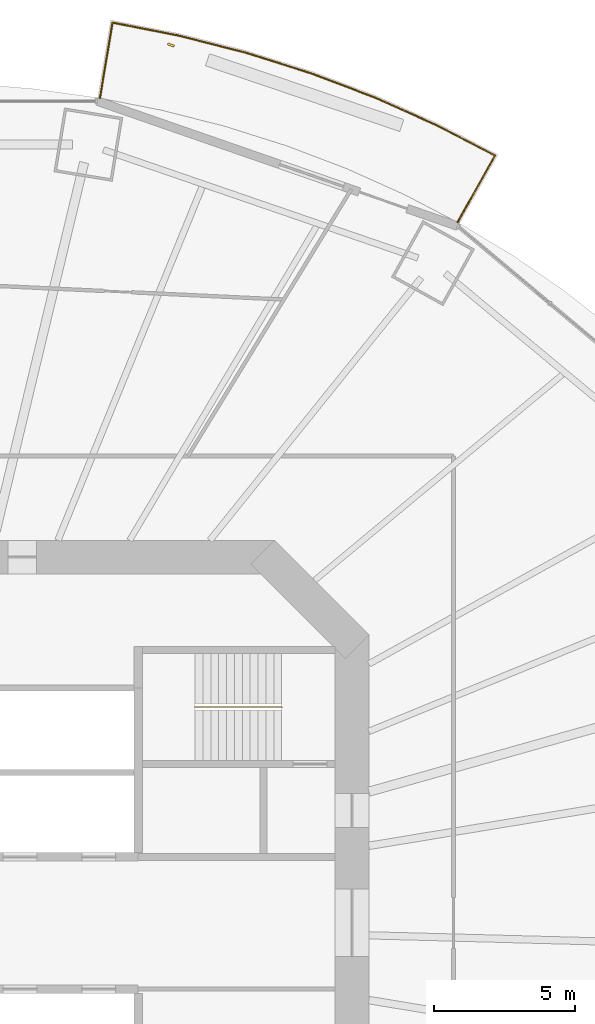
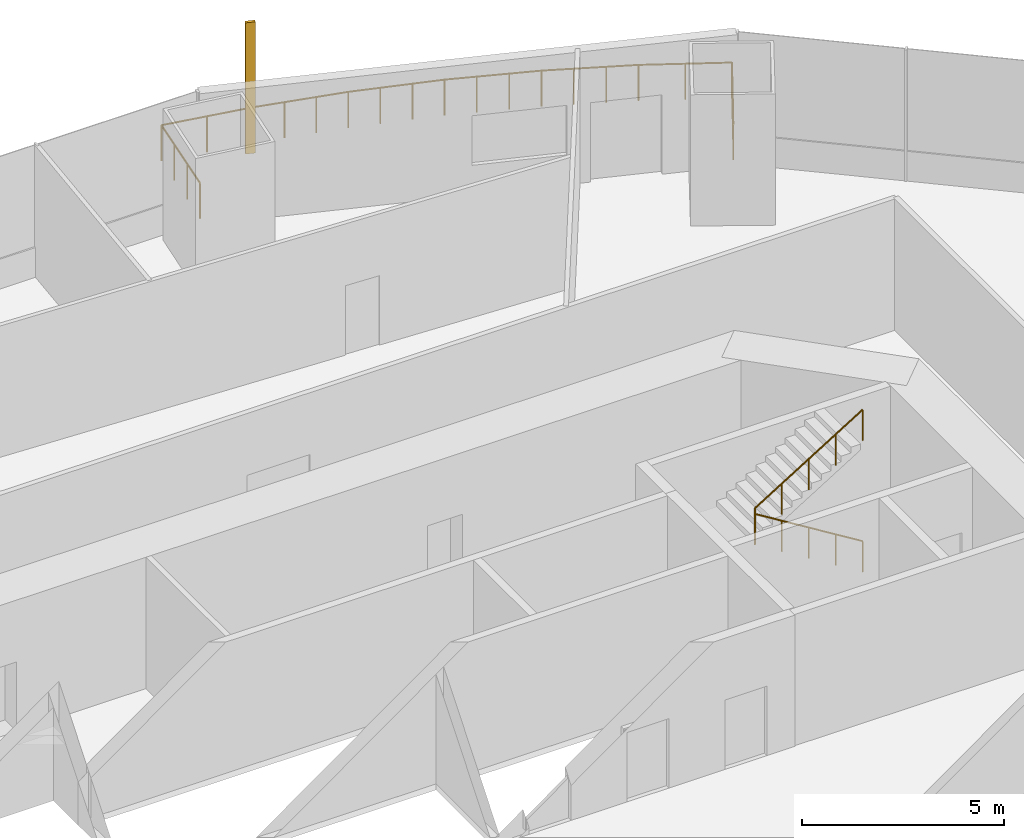
# One storey, part 20 of 22: 2 railings, 1 shading device.
"""IFC4 building model written with IfcOpenShell, lengths in metres."""

from ifc_helpers import new_model, si_unit, direction, frame, origin, origin_2d, place, context, subcontext, project, spatial, rectangle, circle, extrude, material, material_profile, profile_set, type_object, element, save


model = new_model("IFC4")

# Units and contexts
model_context = context("Model", 3, precision=1e-05, world=origin(), true_north=direction((0.0, 1.0)))
body_context = subcontext(model_context, "Body", "Model", "MODEL_VIEW")
ifc_project = project(units=[si_unit("LENGTHUNIT", "METRE"), si_unit("AREAUNIT", "SQUARE_METRE"), si_unit("VOLUMEUNIT", "CUBIC_METRE"), si_unit("PLANEANGLEUNIT", "RADIAN"), si_unit("MASSUNIT", "GRAM", prefix="KILO")], contexts=[model_context])

# Site, building, storey
site_placement = place(None, origin())
site = spatial("IfcSite", under=ifc_project, at=site_placement, CompositionType="ELEMENT")
building_placement = place(site_placement, origin())
building = spatial("IfcBuilding", under=site, at=building_placement, Name="Marenthal Gate Tower", CompositionType="ELEMENT")
storey_placement = place(building_placement, frame((0.0, 0.0, 70.35009765625)))
storey = spatial("IfcBuildingStorey", under=building, at=storey_placement, Name="L13", CompositionType="ELEMENT", Elevation=70.35009765625)

# Railings
ifc_material_1 = material(Name="Stainless steel", Category="steel")
railing_type_1 = type_object("IfcRailingType", Name="Balcony guard 1100", PredefinedType="GUARDRAIL", material=ifc_material_1)
railing_1_placement = place(storey_placement, frame((7.038330078125, 29.316162109375, 0.0)))
element("IfcRailing", 1, at=railing_1_placement, inside=storey, type_object=railing_type_1, Name="Balcony guard L13 bay 3", PredefinedType="GUARDRAIL", context=body_context, shape_type="SweptSolid", body=[
    extrude(circle(Radius=0.02392578125, at=origin_2d()), frame((0.0, 0.0, 1.076171875), z_axis=(0.164599482451, 0.986250661205, -0.014718819587), x_axis=(-0.986357511038, 0.164617315064, 0.0)), (0.0, 0.0, 1.0), 2.72021484375),
    extrude(circle(Radius=0.02392578125, at=origin_2d()), frame((0.44775390625, 2.682861328125, 1.0361328125), z_axis=(0.981255035118, -0.192713663388, 0.0), x_axis=(0.192713663388, 0.981255035118, 0.0)), (0.0, 0.0, 1.0), 2.387939453125),
    extrude(circle(Radius=0.02392578125, at=origin_2d()), frame((2.791015625, 2.22265625, 1.0361328125), z_axis=(0.969164913017, -0.246413009756, 0.0), x_axis=(0.246413009756, 0.969164913017, 0.0)), (0.0, 0.0, 1.0), 2.4580078125),
    extrude(circle(Radius=0.02392578125, at=origin_2d()), frame((5.17333984375, 1.616943359375, 1.0361328125), z_axis=(0.953650519342, -0.300916411912, 0.0), x_axis=(0.300916411912, 0.953650519342, 0.0)), (0.0, 0.0, 1.0), 2.446044921875),
    extrude(circle(Radius=0.02392578125, at=origin_2d()), frame((7.506103515625, 0.880859375, 1.0361328125), z_axis=(0.934822913626, -0.355114235366, 0.0), x_axis=(0.355114235366, 0.934822913626, 0.0)), (0.0, 0.0, 1.0), 2.431640625),
    extrude(circle(Radius=0.02392578125, at=origin_2d()), frame((9.779296875, 0.017333984375, 1.0361328125), z_axis=(0.91254444095, -0.408977558419, 0.0), x_axis=(0.408977558419, 0.91254444095, 0.0)), (0.0, 0.0, 1.0), 2.415771484375),
    extrude(circle(Radius=0.02392578125, at=origin_2d()), frame((11.98388671875, -0.970703125, 1.0361328125), z_axis=(0.887259903965, -0.461269837314, 0.0), x_axis=(0.461269837314, 0.887259903965, 0.0)), (0.0, 0.0, 1.0), 2.318359375),
    extrude(circle(Radius=0.02392578125, at=origin_2d()), frame((14.040771484375, -2.0400390625, 1.0361328125), z_axis=(-0.488916588254, -0.872206373208, 0.014717753391), x_axis=(0.872300853857, -0.488969549523, 0.0)), (0.0, 0.0, 1.0), 2.720458984375),
    extrude(circle(Radius=0.02099609375, at=origin_2d()), origin(), (0.0, 0.0, 1.0), 1.052001953125),
    extrude(circle(Radius=0.02099609375, at=origin_2d()), frame((0.149169921875, 0.894287109375, -0.013427734375)), (0.0, 0.0, 1.0), 1.052001953125),
    extrude(circle(Radius=0.02099609375, at=origin_2d()), frame((0.298583984375, 1.78857421875, -0.026611328125)), (0.0, 0.0, 1.0), 1.052001953125),
    extrude(circle(Radius=0.02099609375, at=origin_2d()), frame((0.44775390625, 2.682861328125, -0.0400390625)), (0.0, 0.0, 1.0), 1.052001953125),
    extrude(circle(Radius=0.02099609375, at=origin_2d()), frame((1.619384765625, 2.45263671875, -0.0400390625)), (0.0, 0.0, 1.0), 1.052001953125),
    extrude(circle(Radius=0.02099609375, at=origin_2d()), frame((2.791015625, 2.22265625, -0.0400390625)), (0.0, 0.0, 1.0), 1.052001953125),
    extrude(circle(Radius=0.02099609375, at=origin_2d()), frame((3.585205078125, 2.020751953125, -0.0400390625)), (0.0, 0.0, 1.0), 1.052001953125),
    extrude(circle(Radius=0.02099609375, at=origin_2d()), frame((4.379150390625, 1.81884765625, -0.0400390625)), (0.0, 0.0, 1.0), 1.052001953125),
    extrude(circle(Radius=0.02099609375, at=origin_2d()), frame((5.17333984375, 1.616943359375, -0.0400390625)), (0.0, 0.0, 1.0), 1.052001953125),
    extrude(circle(Radius=0.02099609375, at=origin_2d()), frame((5.950927734375, 1.37158203125, -0.0400390625)), (0.0, 0.0, 1.0), 1.052001953125),
    extrude(circle(Radius=0.02099609375, at=origin_2d()), frame((6.728515625, 1.126220703125, -0.0400390625)), (0.0, 0.0, 1.0), 1.052001953125),
    extrude(circle(Radius=0.02099609375, at=origin_2d()), frame((7.506103515625, 0.880859375, -0.0400390625)), (0.0, 0.0, 1.0), 1.052001953125),
    extrude(circle(Radius=0.02099609375, at=origin_2d()), frame((8.263916015625, 0.593017578125, -0.0400390625)), (0.0, 0.0, 1.0), 1.052001953125),
    extrude(circle(Radius=0.02099609375, at=origin_2d()), frame((9.021484375, 0.30517578125, -0.0400390625)), (0.0, 0.0, 1.0), 1.052001953125),
    extrude(circle(Radius=0.02099609375, at=origin_2d()), frame((9.779296875, 0.017333984375, -0.0400390625)), (0.0, 0.0, 1.0), 1.052001953125),
    extrude(circle(Radius=0.02099609375, at=origin_2d()), frame((10.51416015625, -0.31201171875, -0.0400390625)), (0.0, 0.0, 1.0), 1.052001953125),
    extrude(circle(Radius=0.02099609375, at=origin_2d()), frame((11.2490234375, -0.641357421875, -0.0400390625)), (0.0, 0.0, 1.0), 1.052001953125),
    extrude(circle(Radius=0.02099609375, at=origin_2d()), frame((11.98388671875, -0.970703125, -0.0400390625)), (0.0, 0.0, 1.0), 1.052001953125),
    extrude(circle(Radius=0.02099609375, at=origin_2d()), frame((13.01220703125, -1.50537109375, -0.0400390625)), (0.0, 0.0, 1.0), 1.052001953125),
    extrude(circle(Radius=0.02099609375, at=origin_2d()), frame((14.040771484375, -2.0400390625, -0.0400390625)), (0.0, 0.0, 1.0), 1.052001953125),
    extrude(circle(Radius=0.02099609375, at=origin_2d()), frame((13.597412109375, -2.8310546875, -0.026611328125)), (0.0, 0.0, 1.0), 1.052001953125),
    extrude(circle(Radius=0.02099609375, at=origin_2d()), frame((13.154052734375, -3.621826171875, -0.013427734375)), (0.0, 0.0, 1.0), 1.052001953125),
    extrude(circle(Radius=0.02099609375, at=origin_2d()), frame((12.710693359375, -4.412841796875, 0.0)), (0.0, 0.0, 1.0), 1.052001953125),
])
ifc_material_2 = material(Name="Stainless steel", Category="steel")
railing_type_2 = type_object("IfcRailingType", Name="Stair handrail", PredefinedType="HANDRAIL", material=ifc_material_2)
railing_2_placement = place(storey_placement, frame((13.5, 7.675048828125, 0.1728515625)))
element("IfcRailing", 2, at=railing_2_placement, inside=storey, type_object=railing_type_2, Name="Handrail ST3", PredefinedType="HANDRAIL", context=body_context, shape_type="SweptSolid", body=[
    extrude(circle(Radius=0.0224609375, at=origin_2d()), frame((0.0, 0.0, 0.927490234375), z_axis=(-0.850835241893, 0.0, 0.525432575268), x_axis=(0.0, -1.0, 0.0)), (0.0, 0.0, 1.0), 3.6201171875),
    extrude(circle(Radius=0.0224609375, at=origin_2d()), frame((-3.080078125, 0.0, 2.82958984375), z_axis=(0.0, 0.0, 1.0), x_axis=(1.0, 0.0, 0.0)), (0.0, 0.0, 1.0), 0.1728515625),
    extrude(circle(Radius=0.0224609375, at=origin_2d()), frame((-3.080078125, 0.0, 3.00244140625), z_axis=(0.850835241893, 0.0, 0.525432575268), x_axis=(0.0, 1.0, 0.0)), (0.0, 0.0, 1.0), 3.6201171875),
    extrude(circle(Radius=0.02001953125, at=origin_2d()), origin(), (0.0, 0.0, 1.0), 0.905029296875),
    extrude(circle(Radius=0.02001953125, at=origin_2d()), frame((-0.77001953125, 0.0, 0.4755859375)), (0.0, 0.0, 1.0), 0.905029296875),
    extrude(circle(Radius=0.02001953125, at=origin_2d()), frame((-1.5400390625, 0.0, 0.951171875)), (0.0, 0.0, 1.0), 0.905029296875),
    extrude(circle(Radius=0.02001953125, at=origin_2d()), frame((-2.31005859375, 0.0, 1.426513671875)), (0.0, 0.0, 1.0), 0.905029296875),
    extrude(circle(Radius=0.02001953125, at=origin_2d()), frame((-3.080078125, 0.0, 1.902099609375)), (0.0, 0.0, 1.0), 0.905029296875),
    extrude(circle(Radius=0.02001953125, at=origin_2d()), frame((-3.080078125, 0.0, 2.074951171875)), (0.0, 0.0, 1.0), 0.905029296875),
    extrude(circle(Radius=0.02001953125, at=origin_2d()), frame((-2.31005859375, 0.0, 2.550537109375)), (0.0, 0.0, 1.0), 0.905029296875),
    extrude(circle(Radius=0.02001953125, at=origin_2d()), frame((-1.5400390625, 0.0, 3.02587890625)), (0.0, 0.0, 1.0), 0.905029296875),
    extrude(circle(Radius=0.02001953125, at=origin_2d()), frame((-0.77001953125, 0.0, 3.50146484375)), (0.0, 0.0, 1.0), 0.905029296875),
    extrude(circle(Radius=0.02001953125, at=origin_2d()), frame((0.0, 0.0, 3.97705078125)), (0.0, 0.0, 1.0), 0.905029296875),
])

# Shading device
ifc_material_3 = material(Name="Terracotta", Category="masonry")
ifc_material_profile = material_profile(ifc_material_3, rectangle(XDim=0.25, YDim=0.080078125, at=origin_2d()), Name="Terracotta baguette 250x80")
ifc_profile_set = profile_set([ifc_material_profile], Name="Terracotta")
shading_device_type = type_object("IfcShadingDeviceType", Name="Terracotta BAGUETTE SCREEN 250x80", PredefinedType="USERDEFINED", material=ifc_profile_set)
shading_device_placement = place(storey_placement, frame((9.5615234375, 31.202392578125, -0.0400390625), z_axis=(0.0, 0.0, 1.0), x_axis=(-0.944656596613, 0.328060839595, 0.0)))
element("IfcShadingDevice", 3, at=shading_device_placement, inside=storey, type_object=shading_device_type, Name="Terracotta BAGUETTE L13 bay 3R", ObjectType="BAGUETTE SCREEN", PredefinedType="USERDEFINED", context=body_context, shape_type="SweptSolid", body=[
    extrude(rectangle(XDim=0.25, YDim=0.080078125, at=origin_2d()), origin(), (0.0, 0.0, 1.0), 3.969970703125),
])

save(model, "model.ifc")
